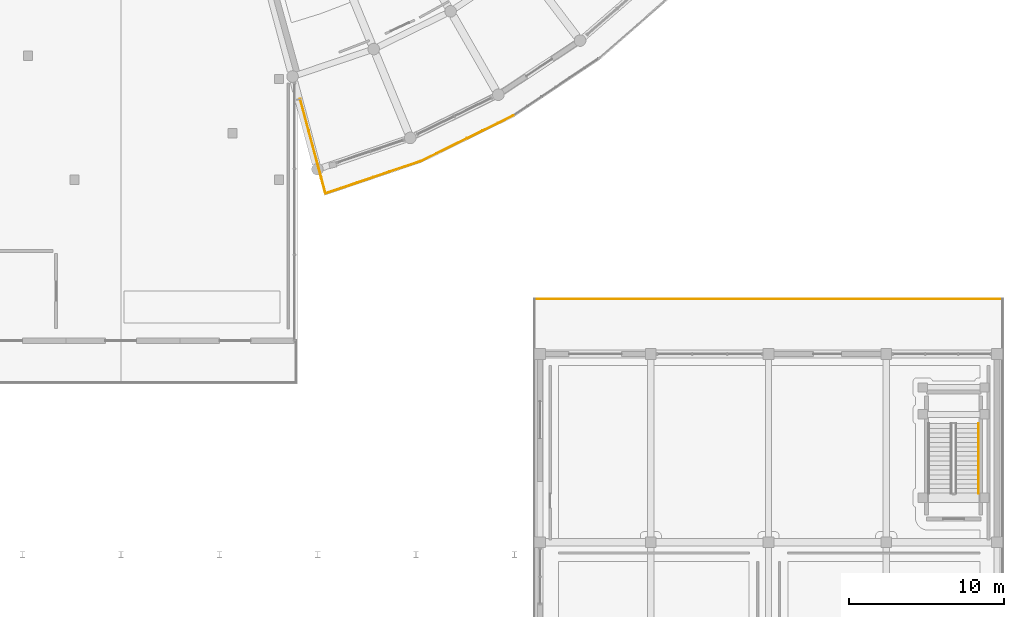
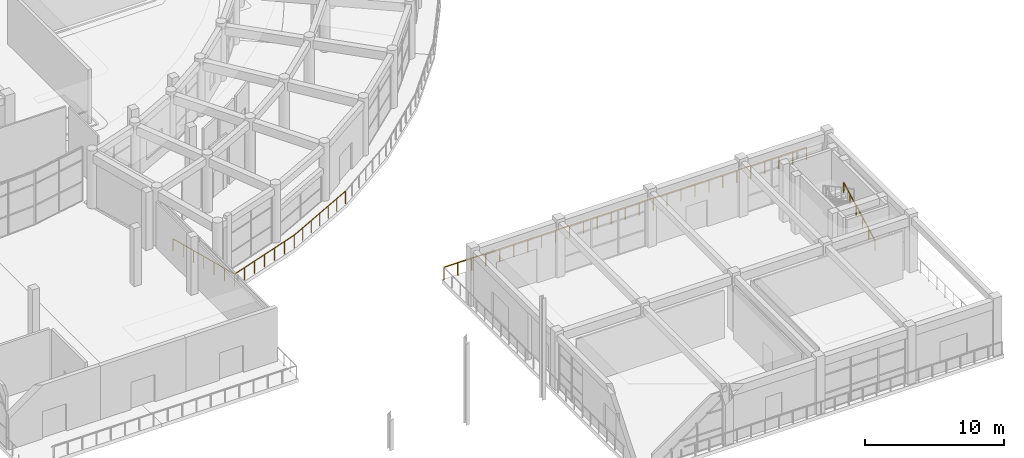
# One storey, part 84 of 99: 5 railings.
"""IFC4 building model written with IfcOpenShell, lengths in metres."""

from ifc_helpers import new_model, si_unit, direction, frame, origin, origin_2d, place, context, subcontext, project, spatial, rectangle, extrude, material, layer, layer_set, type_object, element, save


model = new_model("IFC4")

# Units and contexts
model_context = context("Model", 3, precision=1e-05, world=origin(), true_north=direction((0.0, 1.0)))
body_context = subcontext(model_context, "Body", "Model", "MODEL_VIEW")
ifc_project = project(units=[si_unit("LENGTHUNIT", "METRE"), si_unit("AREAUNIT", "SQUARE_METRE"), si_unit("VOLUMEUNIT", "CUBIC_METRE"), si_unit("PLANEANGLEUNIT", "RADIAN"), si_unit("MASSUNIT", "GRAM", prefix="KILO")], contexts=[model_context])

# Site, building, storey
site_placement = place(None, origin())
site = spatial("IfcSite", under=ifc_project, at=site_placement, CompositionType="ELEMENT")
building_placement = place(site_placement, origin())
building = spatial("IfcBuilding", under=site, at=building_placement, Name="Saryqyr Civic Hall", CompositionType="ELEMENT")
storey_placement = place(building_placement, origin())
storey = spatial("IfcBuildingStorey", under=building, at=storey_placement, Name="L00", CompositionType="ELEMENT", Elevation=0.0)

# Railings
ifc_material_1 = material(Name="Warm brushed brass and laminated glass", Category="glass")
ifc_layer_1 = layer(ifc_material_1, 0.06005859375, Name="Warm brushed brass and laminated glass")
ifc_layer_set_1 = layer_set([ifc_layer_1], Name="Warm brushed brass and laminated glass")
railing_type_1 = type_object("IfcRailingType", Name="INT-RLG-BAL-1100", PredefinedType="BALUSTRADE", material=ifc_layer_set_1)
railing_1_placement = place(storey_placement, frame((83.699951171875, 28.300048828125, 0.0)))
element("IfcRailing", 1, at=railing_1_placement, inside=storey, type_object=railing_type_1, Name="Interior deck safety balustrade L00-001", PredefinedType="BALUSTRADE", context=body_context, shape_type="SweptSolid", body=[
    extrude(rectangle(XDim=0.048095703125, YDim=0.048095703125, at=origin_2d()), frame((0.0, 0.0, 1.09619140625), z_axis=(1.0, 0.0, 0.0), x_axis=(0.0, 1.0, 0.0)), (0.0, 0.0, 1.0), 30.199951171875),
    extrude(rectangle(XDim=0.0419921875, YDim=0.0419921875, at=origin_2d()), origin(), (0.0, 0.0, 1.0), 1.072021484375),
    extrude(rectangle(XDim=0.0419921875, YDim=0.0419921875, at=origin_2d()), frame((1.16162109375, 0.0, 0.0)), (0.0, 0.0, 1.0), 1.072021484375),
    extrude(rectangle(XDim=0.0419921875, YDim=0.0419921875, at=origin_2d()), frame((2.322998046875, 0.0, 0.0)), (0.0, 0.0, 1.0), 1.072021484375),
    extrude(rectangle(XDim=0.0419921875, YDim=0.0419921875, at=origin_2d()), frame((3.484619140625, 0.0, 0.0)), (0.0, 0.0, 1.0), 1.072021484375),
    extrude(rectangle(XDim=0.0419921875, YDim=0.0419921875, at=origin_2d()), frame((4.646240234375, 0.0, 0.0)), (0.0, 0.0, 1.0), 1.072021484375),
    extrude(rectangle(XDim=0.0419921875, YDim=0.0419921875, at=origin_2d()), frame((5.8076171875, 0.0, 0.0)), (0.0, 0.0, 1.0), 1.072021484375),
    extrude(rectangle(XDim=0.0419921875, YDim=0.0419921875, at=origin_2d()), frame((6.96923828125, 0.0, 0.0)), (0.0, 0.0, 1.0), 1.072021484375),
    extrude(rectangle(XDim=0.0419921875, YDim=0.0419921875, at=origin_2d()), frame((8.130859375, 0.0, 0.0)), (0.0, 0.0, 1.0), 1.072021484375),
    extrude(rectangle(XDim=0.0419921875, YDim=0.0419921875, at=origin_2d()), frame((9.292236328125, 0.0, 0.0)), (0.0, 0.0, 1.0), 1.072021484375),
    extrude(rectangle(XDim=0.0419921875, YDim=0.0419921875, at=origin_2d()), frame((10.453857421875, 0.0, 0.0)), (0.0, 0.0, 1.0), 1.072021484375),
    extrude(rectangle(XDim=0.0419921875, YDim=0.0419921875, at=origin_2d()), frame((11.615478515625, 0.0, 0.0)), (0.0, 0.0, 1.0), 1.072021484375),
    extrude(rectangle(XDim=0.0419921875, YDim=0.0419921875, at=origin_2d()), frame((12.77685546875, 0.0, 0.0)), (0.0, 0.0, 1.0), 1.072021484375),
    extrude(rectangle(XDim=0.0419921875, YDim=0.0419921875, at=origin_2d()), frame((13.9384765625, 0.0, 0.0)), (0.0, 0.0, 1.0), 1.072021484375),
    extrude(rectangle(XDim=0.0419921875, YDim=0.0419921875, at=origin_2d()), frame((15.10009765625, 0.0, 0.0)), (0.0, 0.0, 1.0), 1.072021484375),
    extrude(rectangle(XDim=0.0419921875, YDim=0.0419921875, at=origin_2d()), frame((16.261474609375, 0.0, 0.0)), (0.0, 0.0, 1.0), 1.072021484375),
    extrude(rectangle(XDim=0.0419921875, YDim=0.0419921875, at=origin_2d()), frame((17.423095703125, 0.0, 0.0)), (0.0, 0.0, 1.0), 1.072021484375),
    extrude(rectangle(XDim=0.0419921875, YDim=0.0419921875, at=origin_2d()), frame((18.58447265625, 0.0, 0.0)), (0.0, 0.0, 1.0), 1.072021484375),
    extrude(rectangle(XDim=0.0419921875, YDim=0.0419921875, at=origin_2d()), frame((19.74609375, 0.0, 0.0)), (0.0, 0.0, 1.0), 1.072021484375),
    extrude(rectangle(XDim=0.0419921875, YDim=0.0419921875, at=origin_2d()), frame((20.90771484375, 0.0, 0.0)), (0.0, 0.0, 1.0), 1.072021484375),
    extrude(rectangle(XDim=0.0419921875, YDim=0.0419921875, at=origin_2d()), frame((22.069091796875, 0.0, 0.0)), (0.0, 0.0, 1.0), 1.072021484375),
    extrude(rectangle(XDim=0.0419921875, YDim=0.0419921875, at=origin_2d()), frame((23.230712890625, 0.0, 0.0)), (0.0, 0.0, 1.0), 1.072021484375),
    extrude(rectangle(XDim=0.0419921875, YDim=0.0419921875, at=origin_2d()), frame((24.392333984375, 0.0, 0.0)), (0.0, 0.0, 1.0), 1.072021484375),
    extrude(rectangle(XDim=0.0419921875, YDim=0.0419921875, at=origin_2d()), frame((25.5537109375, 0.0, 0.0)), (0.0, 0.0, 1.0), 1.072021484375),
    extrude(rectangle(XDim=0.0419921875, YDim=0.0419921875, at=origin_2d()), frame((26.71533203125, 0.0, 0.0)), (0.0, 0.0, 1.0), 1.072021484375),
    extrude(rectangle(XDim=0.0419921875, YDim=0.0419921875, at=origin_2d()), frame((27.876953125, 0.0, 0.0)), (0.0, 0.0, 1.0), 1.072021484375),
    extrude(rectangle(XDim=0.0419921875, YDim=0.0419921875, at=origin_2d()), frame((29.038330078125, 0.0, 0.0)), (0.0, 0.0, 1.0), 1.072021484375),
    extrude(rectangle(XDim=0.0419921875, YDim=0.0419921875, at=origin_2d()), frame((30.199951171875, 0.0, 0.0)), (0.0, 0.0, 1.0), 1.072021484375),
])
railing_2_placement = place(storey_placement, frame((82.324951171875, 40.135986328125, 0.0)))
element("IfcRailing", 2, at=railing_2_placement, inside=storey, type_object=railing_type_1, Name="Interior deck safety balustrade L00-038", PredefinedType="BALUSTRADE", context=body_context, shape_type="SweptSolid", body=[
    extrude(rectangle(XDim=0.048095703125, YDim=0.048095703125, at=origin_2d()), frame((0.0, 0.0, 1.09619140625), z_axis=(-0.896882484151, -0.442268933595, 0.0), x_axis=(0.442268933595, -0.896882484151, 0.0)), (0.0, 0.0, 1.0), 6.625244140625),
    extrude(rectangle(XDim=0.0419921875, YDim=0.0419921875, at=origin_2d()), origin(), (0.0, 0.0, 1.0), 1.072021484375),
    extrude(rectangle(XDim=0.0419921875, YDim=0.0419921875, at=origin_2d()), frame((-0.990234375, -0.48828125, 0.0)), (0.0, 0.0, 1.0), 1.072021484375),
    extrude(rectangle(XDim=0.0419921875, YDim=0.0419921875, at=origin_2d()), frame((-1.980712890625, -0.976806640625, 0.0)), (0.0, 0.0, 1.0), 1.072021484375),
    extrude(rectangle(XDim=0.0419921875, YDim=0.0419921875, at=origin_2d()), frame((-2.97119140625, -1.465087890625, 0.0)), (0.0, 0.0, 1.0), 1.072021484375),
    extrude(rectangle(XDim=0.0419921875, YDim=0.0419921875, at=origin_2d()), frame((-3.96142578125, -1.953369140625, 0.0)), (0.0, 0.0, 1.0), 1.072021484375),
    extrude(rectangle(XDim=0.0419921875, YDim=0.0419921875, at=origin_2d()), frame((-4.95166015625, -2.44189453125, 0.0)), (0.0, 0.0, 1.0), 1.072021484375),
    extrude(rectangle(XDim=0.0419921875, YDim=0.0419921875, at=origin_2d()), frame((-5.942138671875, -2.93017578125, 0.0)), (0.0, 0.0, 1.0), 1.072021484375),
])
railing_3_placement = place(storey_placement, frame((76.3828125, 37.205810546875, 0.0)))
element("IfcRailing", 3, at=railing_3_placement, inside=storey, type_object=railing_type_1, Name="Interior deck safety balustrade L00-039", PredefinedType="BALUSTRADE", context=body_context, shape_type="SweptSolid", body=[
    extrude(rectangle(XDim=0.048095703125, YDim=0.048095703125, at=origin_2d()), frame((0.0, 0.0, 1.09619140625), z_axis=(-0.946929086089, -0.321442539062, 0.0), x_axis=(0.321442539062, -0.946929086089, 0.0)), (0.0, 0.0, 1.0), 6.52490234375),
    extrude(rectangle(XDim=0.0419921875, YDim=0.0419921875, at=origin_2d()), origin(), (0.0, 0.0, 1.0), 1.072021484375),
    extrude(rectangle(XDim=0.0419921875, YDim=0.0419921875, at=origin_2d()), frame((-1.02978515625, -0.349609375, 0.0)), (0.0, 0.0, 1.0), 1.072021484375),
    extrude(rectangle(XDim=0.0419921875, YDim=0.0419921875, at=origin_2d()), frame((-2.0595703125, -0.69921875, 0.0)), (0.0, 0.0, 1.0), 1.072021484375),
    extrude(rectangle(XDim=0.0419921875, YDim=0.0419921875, at=origin_2d()), frame((-3.08935546875, -1.048828125, 0.0)), (0.0, 0.0, 1.0), 1.072021484375),
    extrude(rectangle(XDim=0.0419921875, YDim=0.0419921875, at=origin_2d()), frame((-4.119140625, -1.398193359375, 0.0)), (0.0, 0.0, 1.0), 1.072021484375),
    extrude(rectangle(XDim=0.0419921875, YDim=0.0419921875, at=origin_2d()), frame((-5.14892578125, -1.747802734375, 0.0)), (0.0, 0.0, 1.0), 1.072021484375),
    extrude(rectangle(XDim=0.0419921875, YDim=0.0419921875, at=origin_2d()), frame((-6.1787109375, -2.097412109375, 0.0)), (0.0, 0.0, 1.0), 1.072021484375),
])
railing_4_placement = place(storey_placement, frame((70.2041015625, 35.1083984375, 0.0)))
element("IfcRailing", 4, at=railing_4_placement, inside=storey, type_object=railing_type_1, Name="Interior deck safety balustrade L00-040", PredefinedType="BALUSTRADE", context=body_context, shape_type="SweptSolid", body=[
    extrude(rectangle(XDim=0.048095703125, YDim=0.048095703125, at=origin_2d()), frame((0.0, 0.0, 1.09619140625), z_axis=(-0.258816205353, 0.965926587193, 0.0), x_axis=(-0.965926587193, -0.258816205353, 0.0)), (0.0, 0.0, 1.0), 6.295654296875),
    extrude(rectangle(XDim=0.0419921875, YDim=0.0419921875, at=origin_2d()), origin(), (0.0, 0.0, 1.0), 1.072021484375),
    extrude(rectangle(XDim=0.0419921875, YDim=0.0419921875, at=origin_2d()), frame((-0.271484375, 1.013427734375, 0.0)), (0.0, 0.0, 1.0), 1.072021484375),
    extrude(rectangle(XDim=0.0419921875, YDim=0.0419921875, at=origin_2d()), frame((-0.543212890625, 2.027099609375, 0.0)), (0.0, 0.0, 1.0), 1.072021484375),
    extrude(rectangle(XDim=0.0419921875, YDim=0.0419921875, at=origin_2d()), frame((-0.814697265625, 3.04052734375, 0.0)), (0.0, 0.0, 1.0), 1.072021484375),
    extrude(rectangle(XDim=0.0419921875, YDim=0.0419921875, at=origin_2d()), frame((-1.086181640625, 4.053955078125, 0.0)), (0.0, 0.0, 1.0), 1.072021484375),
    extrude(rectangle(XDim=0.0419921875, YDim=0.0419921875, at=origin_2d()), frame((-1.35791015625, 5.067626953125, 0.0)), (0.0, 0.0, 1.0), 1.072021484375),
    extrude(rectangle(XDim=0.0419921875, YDim=0.0419921875, at=origin_2d()), frame((-1.62939453125, 6.0810546875, 0.0)), (0.0, 0.0, 1.0), 1.072021484375),
])
ifc_material_2 = material(Name="Stainless steel", Category="steel")
ifc_layer_2 = layer(ifc_material_2, 0.050048828125, Name="Stainless steel")
ifc_layer_set_2 = layer_set([ifc_layer_2], Name="Stainless steel")
railing_type_2 = type_object("IfcRailingType", Name="INT-RLG-HND-900", PredefinedType="HANDRAIL", material=ifc_layer_set_2)
railing_5_placement = place(storey_placement, frame((112.35009765625, 15.75, 0.159423828125)))
element("IfcRailing", 5, at=railing_5_placement, inside=storey, type_object=railing_type_2, Name="L00 ST-8 stair handrail 1", PredefinedType="HANDRAIL", context=body_context, shape_type="SweptSolid", body=[
    extrude(rectangle(XDim=0.048095703125, YDim=0.048095703125, at=origin_2d()), frame((0.0, 0.0, 0.8759765625), z_axis=(0.0, 0.883115719457, 0.469155225962), x_axis=(-1.0, 0.0, 0.0)), (0.0, 0.0, 1.0), 5.095703125),
    extrude(rectangle(XDim=0.0419921875, YDim=0.0419921875, at=origin_2d()), origin(), (0.0, 0.0, 1.0), 0.851806640625),
    extrude(rectangle(XDim=0.0419921875, YDim=0.0419921875, at=origin_2d()), frame((0.0, 0.89990234375, 0.47802734375)), (0.0, 0.0, 1.0), 0.851806640625),
    extrude(rectangle(XDim=0.0419921875, YDim=0.0419921875, at=origin_2d()), frame((0.0, 1.800048828125, 0.956298828125)), (0.0, 0.0, 1.0), 0.851806640625),
    extrude(rectangle(XDim=0.0419921875, YDim=0.0419921875, at=origin_2d()), frame((0.0, 2.699951171875, 1.434326171875)), (0.0, 0.0, 1.0), 0.851806640625),
    extrude(rectangle(XDim=0.0419921875, YDim=0.0419921875, at=origin_2d()), frame((0.0, 3.60009765625, 1.91259765625)), (0.0, 0.0, 1.0), 0.851806640625),
    extrude(rectangle(XDim=0.0419921875, YDim=0.0419921875, at=origin_2d()), frame((0.0, 4.5, 2.390625)), (0.0, 0.0, 1.0), 0.851806640625),
])

save(model, "model.ifc")
